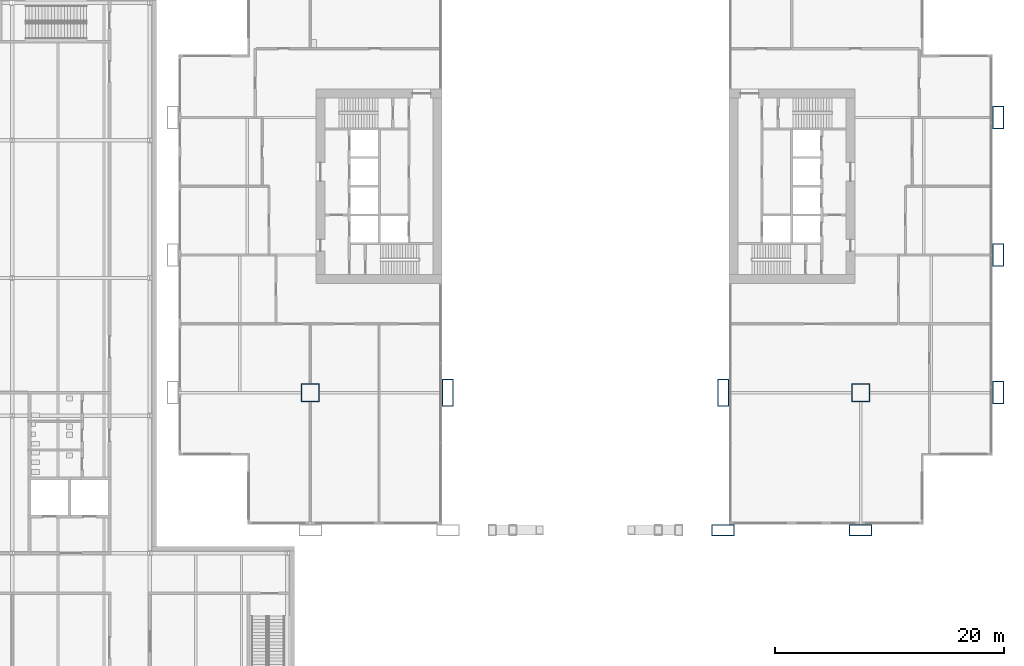
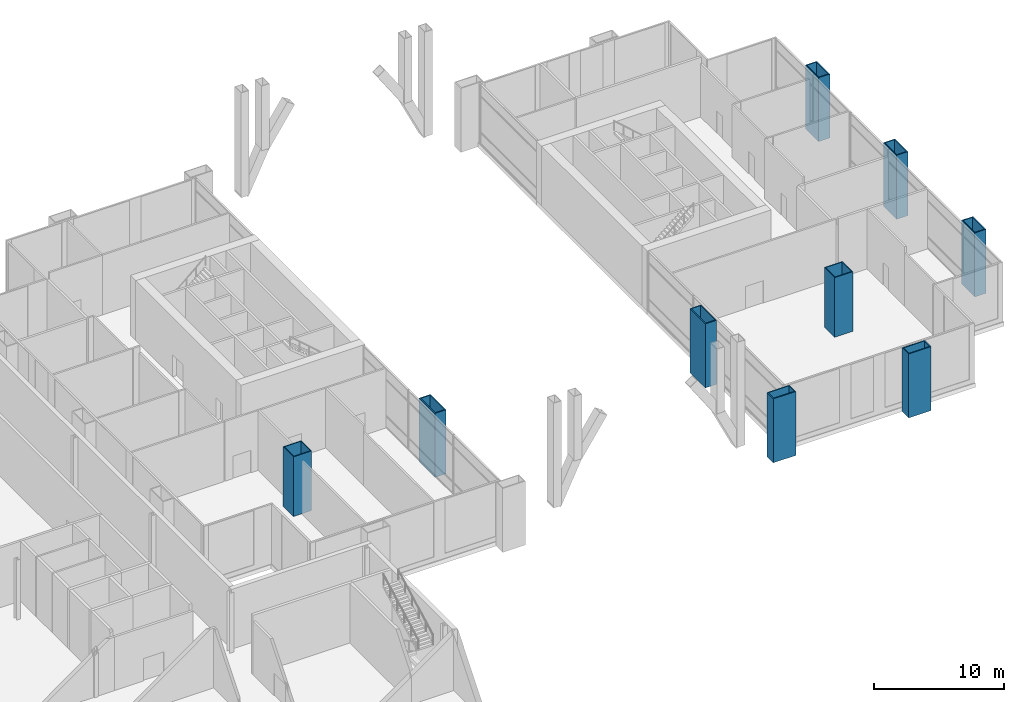
# One storey, part 4 of 25: 9 columns.
"""IFC4 building model written with IfcOpenShell, lengths in metres."""

import ifcopenshell
import ifcopenshell.guid

model = None  # the IFC model being written
_history = None  # IfcOwnerHistory: only IFC2X3 demands one
_inside = {}  # id of a spatial element -> (the spatial element, [elements in it])
_under = {}  # id of a project, library or spatial element -> (it, [spatial elements below it])
_declared = {}  # id of a project -> (the project, [libraries it declares])
_typed = {}  # id of a type object -> (the type object, [elements of that type])
_made_of = {}  # id of a material, layer set ... -> (it, [elements and type objects made of it])


def new_model(schema):
    """Start an empty IFC model of exactly this schema.

    Asked for "IFC4X3", IfcOpenShell would pick the latest addendum, in which some entities
    have other attributes; the version numbers below select the first issue.
    IFC2X3 requires an IfcOwnerHistory on every rooted entity: one is made here for all.
    """
    global model, _history
    if schema == "IFC4X3":
        model = ifcopenshell.file(schema_version=(4, 3, 0, 0))
    else:
        model = ifcopenshell.file(schema=schema)
    _inside.clear()
    _under.clear()
    _declared.clear()
    _typed.clear()
    _made_of.clear()
    _history = None
    if model.schema == "IFC2X3":
        org = make("IfcOrganization", Name="unknown")
        user = make(
            "IfcPersonAndOrganization",
            ThePerson=make("IfcPerson", FamilyName="unknown"),
            TheOrganization=org,
        )
        app = make(
            "IfcApplication",
            ApplicationDeveloper=org,
            Version="unknown",
            ApplicationFullName="unknown",
            ApplicationIdentifier="unknown",
        )
        _history = make(
            "IfcOwnerHistory",
            OwningUser=user,
            OwningApplication=app,
            ChangeAction="ADDED",
            CreationDate=0,
        )
    return model


def make(cls, **values):
    """One entity of the class cls with the attributes given. An attribute that is None is left unset."""
    return model.create_entity(
        cls, **{name: value for name, value in values.items() if value is not None}
    )


def rooted(cls, **values):
    """An entity with a GlobalId (a new one), such as an element, a storey or a relation."""
    return make(cls, GlobalId=ifcopenshell.guid.new(), OwnerHistory=_history, **values)


def si_unit(unit_type, name, prefix=None):
    """IfcSIUnit, for example si_unit("LENGTHUNIT", "METRE", prefix="MILLI")."""
    return make("IfcSIUnit", UnitType=unit_type, Prefix=prefix, Name=name)


def assignment(units):
    """IfcUnitAssignment: the units of a project."""
    return None if units is None else make("IfcUnitAssignment", Units=units)


def point(xyz):
    """IfcCartesianPoint."""
    return None if xyz is None else make("IfcCartesianPoint", Coordinates=xyz)


def direction(xyz):
    """IfcDirection."""
    return None if xyz is None else make("IfcDirection", DirectionRatios=xyz)


def frame(location, z_axis=None, x_axis=None):
    """IfcAxis2Placement3D, a coordinate frame: its origin and axes. An axis left out is left unset."""
    return make(
        "IfcAxis2Placement3D",
        Location=point(location),
        Axis=direction(z_axis),
        RefDirection=direction(x_axis),
    )


def frame_2d(location, x_axis=None):
    """IfcAxis2Placement2D, a coordinate frame in the plane: its origin and x axis."""
    return make(
        "IfcAxis2Placement2D", Location=point(location), RefDirection=direction(x_axis)
    )


def origin():
    """The frame at (0, 0, 0) with its axes left unset."""
    return frame((0.0, 0.0, 0.0))


def origin_2d():
    """The frame at (0, 0) in the plane with its x axis left unset."""
    return frame_2d((0.0, 0.0))


def place(relative_to, where):
    """IfcLocalPlacement: puts the frame where relative to a parent placement (None: the world)."""
    return make(
        "IfcLocalPlacement", PlacementRelTo=relative_to, RelativePlacement=where
    )


def context(
    kind, dimensions, precision=None, world=None, true_north=None, identifier=None
):
    """IfcGeometricRepresentationContext, for example the 3D "Model" context."""
    return make(
        "IfcGeometricRepresentationContext",
        ContextIdentifier=identifier,
        ContextType=kind,
        CoordinateSpaceDimension=dimensions,
        Precision=precision,
        WorldCoordinateSystem=world,
        TrueNorth=true_north,
    )


def subcontext(parent, identifier, kind, view, scale=None):
    """IfcGeometricRepresentationSubContext, for example "Body" below "Model"."""
    return make(
        "IfcGeometricRepresentationSubContext",
        ContextIdentifier=identifier,
        ContextType=kind,
        ParentContext=parent,
        TargetScale=scale,
        TargetView=view,
    )


def project(units=None, contexts=None):
    """IfcProject with its units and contexts."""
    return rooted(
        "IfcProject",
        Name="project",
        RepresentationContexts=contexts,
        UnitsInContext=assignment(units),
    )


def spatial(cls, under=None, at=None, **own):
    """A site, building, storey or space (cls), placed at a placement, below another one or the project."""
    s = rooted(cls, ObjectPlacement=at, **own)
    if under is not None:
        _under.setdefault(under.id(), (under, []))[1].append(s)
    return s


def profile(cls, at=None, kind="AREA", **sizes):
    """A parametric profile (cls). Its sizes go by their IFC names, for example OverallWidth=200.0."""
    return make(cls, ProfileType=kind, Position=at, **sizes)


def hollow_rectangle(**sizes):
    """IfcRectangleHollowProfileDef."""
    return profile("IfcRectangleHollowProfileDef", **sizes)


def extrude(swept, where, along, depth):
    """IfcExtrudedAreaSolid: the profile swept, set in the frame where, extruded along a direction by depth."""
    return make(
        "IfcExtrudedAreaSolid",
        SweptArea=swept,
        Position=where,
        ExtrudedDirection=direction(along),
        Depth=depth,
    )


def shape(context_of_items, identifier, shape_type, items):
    """IfcShapeRepresentation: the items that make up one representation, for example the "Body"."""
    return make(
        "IfcShapeRepresentation",
        ContextOfItems=context_of_items,
        RepresentationIdentifier=identifier,
        RepresentationType=shape_type,
        Items=items,
    )


def material(Name=None, Category=None):
    """IfcMaterial."""
    return make("IfcMaterial", Name=Name, Category=Category)


def material_profile(
    of_material, cross_section, Name=None, Category=None, Priority=None
):
    """IfcMaterialProfile: a cross section and its material."""
    return make(
        "IfcMaterialProfile",
        Name=Name,
        Material=of_material,
        Profile=cross_section,
        Priority=Priority,
        Category=Category,
    )


def profile_set(profiles, Name=None, composite=None):
    """IfcMaterialProfileSet."""
    return make(
        "IfcMaterialProfileSet",
        Name=Name,
        MaterialProfiles=profiles,
        CompositeProfile=composite,
    )


def made_of(thing, what):
    """Note that an element or type object is made of a material, layer set ...; save() writes the relation."""
    if what is not None:
        _made_of.setdefault(what.id(), (what, []))[1].append(thing)
    return thing


def type_object(cls, material=None, **own):
    """A type object (cls), such as IfcWallType, which elements share."""
    return made_of(rooted(cls, **own), material)


def element(
    cls,
    number,
    at=None,
    inside=None,
    cuts=None,
    type_object=None,
    material=None,
    context=None,
    identifier="Body",
    shape_type=None,
    held_by="IfcProductDefinitionShape",
    body=None,
    shapes=None,
    **own,
):
    """One element of the class cls, such as IfcWall. Its Tag is "e" and its number.

    at: its placement. inside: the storey or other place that contains it. cuts: it is an
    opening in that element (IfcRelVoidsElement). A single representation is given by context,
    identifier, shape_type and body (its items); several are given by shapes. held_by: the class
    of the entity that holds the representations. save() writes the other relations.
    """
    e = rooted(cls, Tag="e%d" % number, ObjectPlacement=at, **own)
    if body is not None:
        shapes = [shape(context, identifier, shape_type, body)]
    if shapes is not None:
        e.Representation = make(held_by, Representations=shapes)
    if inside is not None:
        _inside.setdefault(inside.id(), (inside, []))[1].append(e)
    if cuts is not None:
        rooted(
            "IfcRelVoidsElement", RelatingBuildingElement=cuts, RelatedOpeningElement=e
        )
    if type_object is not None:
        _typed.setdefault(type_object.id(), (type_object, []))[1].append(e)
    return made_of(e, material)


def aggregate(whole, parts):
    """IfcRelAggregates: a whole, such as a stair, and the parts it consists of."""
    return rooted("IfcRelAggregates", RelatingObject=whole, RelatedObjects=parts)


def save(model, path):
    """Write the relations noted so far, then the file.

    IfcRelAggregates (storeys below a building ...), IfcRelContainedInSpatialStructure (elements
    in a storey), IfcRelDefinesByType, IfcRelAssociatesMaterial and IfcRelDeclares: one each for
    every whole, place, type object, material and project.
    """
    for whole, parts in _under.values():
        aggregate(whole, parts)
    for where, things in _inside.values():
        rooted(
            "IfcRelContainedInSpatialStructure",
            RelatedElements=things,
            RelatingStructure=where,
        )
    for kind, things in _typed.values():
        rooted("IfcRelDefinesByType", RelatedObjects=things, RelatingType=kind)
    for what, things in _made_of.values():
        rooted("IfcRelAssociatesMaterial", RelatedObjects=things, RelatingMaterial=what)
    for by, libraries in _declared.values():
        rooted("IfcRelDeclares", RelatingContext=by, RelatedDefinitions=libraries)
    model.write(path)


model = new_model("IFC4")

# Units and contexts
model_context = context("Model", 3, precision=1e-05, world=origin(), true_north=direction((0.0, 1.0)))
body_context = subcontext(model_context, "Body", "Model", "MODEL_VIEW")
ifc_project = project(units=[si_unit("LENGTHUNIT", "METRE"), si_unit("AREAUNIT", "SQUARE_METRE"), si_unit("VOLUMEUNIT", "CUBIC_METRE"), si_unit("PLANEANGLEUNIT", "RADIAN"), si_unit("MASSUNIT", "GRAM", prefix="KILO")], contexts=[model_context])

# Site, building, storey
site_placement = place(None, origin())
site = spatial("IfcSite", under=ifc_project, at=site_placement, CompositionType="ELEMENT")
building_placement = place(site_placement, origin())
building = spatial("IfcBuilding", under=site, at=building_placement, Name="Kitamizu Gate Tower and Museum", CompositionType="ELEMENT")
storey_placement = place(building_placement, frame((0.0, 0.0, 12.0)))
storey = spatial("IfcBuildingStorey", under=building, at=storey_placement, Name="L02", CompositionType="ELEMENT", Elevation=12.0)

# Columns
ifc_material_1 = material(Name="Steel SM490A bronze coated", Category="steel")
ifc_material_profile_1 = material_profile(ifc_material_1, hollow_rectangle(XDim=2.39990234375, YDim=1.0, WallThickness=0.090087890625, at=origin_2d()), Name="BOX 2400x1000x90")
ifc_profile_set_1 = profile_set([ifc_material_profile_1], Name="Steel SM490A bronze coated")
column_type_1 = type_object("IfcColumnType", Name="Arch jamb column JC1 BOX 2400x1000x90", PredefinedType="COLUMN", material=ifc_profile_set_1)
for number, where, z_axis, x_axis, name in (
    (1, (24.0, 12.0, -0.39990234375), (0.0, 0.0, 1.0), (0.0, 1.0, 0.0), "Column JC1 3B L02"),
    (2, (48.0, 12.0, -0.39990234375), (0.0, 0.0, 1.0), (0.0, 1.0, 0.0), "Column JC1 5B L02"),
):
    element("IfcColumn", number, at=place(storey_placement, frame(where, z_axis=z_axis, x_axis=x_axis)), inside=storey, type_object=column_type_1, Name=name, PredefinedType="COLUMN", context=body_context, shape_type="SweptSolid", body=[
        extrude(hollow_rectangle(XDim=2.39990234375, YDim=1.0, WallThickness=0.090087890625, at=origin_2d()), origin(), (0.0, 0.0, 1.0), 6.0),
    ])
ifc_material_2 = material(Name="Steel SM490A", Category="steel")
ifc_material_profile_2 = material_profile(ifc_material_2, hollow_rectangle(XDim=1.60009765625, YDim=1.60009765625, WallThickness=0.070068359375, at=origin_2d()), Name="BOX 1600x1600x70")
ifc_profile_set_2 = profile_set([ifc_material_profile_2], Name="Steel SM490A")
column_type_2 = type_object("IfcColumnType", Name="Interior column IC1 BOX 1600x1600x70", PredefinedType="COLUMN", material=ifc_profile_set_2)
for number, where, z_axis, x_axis, name in (
    (3, (12.0, 12.0, 0.0), (0.0, 0.0, 1.0), (1.0, 0.0, 0.0), "Column IC1 2B L02"),
    (4, (60.0, 12.0, 0.0), (0.0, 0.0, 1.0), (1.0, 0.0, 0.0), "Column IC1 6B L02"),
):
    element("IfcColumn", number, at=place(storey_placement, frame(where, z_axis=z_axis, x_axis=x_axis)), inside=storey, type_object=column_type_2, Name=name, PredefinedType="COLUMN", context=body_context, shape_type="SweptSolid", body=[
        extrude(hollow_rectangle(XDim=1.60009765625, YDim=1.60009765625, WallThickness=0.070068359375, at=origin_2d()), origin(), (0.0, 0.0, 1.0), 5.60009765625),
    ])
ifc_material_3 = material(Name="Steel SM490A bronze coated", Category="steel")
ifc_material_profile_3 = material_profile(ifc_material_3, hollow_rectangle(XDim=2.0, YDim=1.0, WallThickness=0.080078125, at=origin_2d()), Name="BOX 2000x1000x80")
ifc_profile_set_3 = profile_set([ifc_material_profile_3], Name="Steel SM490A bronze coated")
column_type_3 = type_object("IfcColumnType", Name="Podium leg column LC1 BOX 2000x1000x80", PredefinedType="COLUMN", material=ifc_profile_set_3)
for number, where, z_axis, x_axis, name in (
    (5, (48.0, 0.0, -0.39990234375), (0.0, 0.0, 1.0), (1.0, 0.0, 0.0), "Column LC1 5A L02"),
    (6, (60.0, 0.0, -0.39990234375), (0.0, 0.0, 1.0), (1.0, 0.0, 0.0), "Column LC1 6A L02"),
    (7, (72.0, 12.0, -0.39990234375), (0.0, 0.0, 1.0), (0.0, 1.0, 0.0), "Column LC1 7B L02"),
    (8, (72.0, 24.0, -0.39990234375), (0.0, 0.0, 1.0), (0.0, 1.0, 0.0), "Column LC1 7C L02"),
    (9, (72.0, 36.0, -0.39990234375), (0.0, 0.0, 1.0), (0.0, 1.0, 0.0), "Column LC1 7D L02"),
):
    element("IfcColumn", number, at=place(storey_placement, frame(where, z_axis=z_axis, x_axis=x_axis)), inside=storey, type_object=column_type_3, Name=name, PredefinedType="COLUMN", context=body_context, shape_type="SweptSolid", body=[
        extrude(hollow_rectangle(XDim=2.0, YDim=1.0, WallThickness=0.080078125, at=origin_2d()), origin(), (0.0, 0.0, 1.0), 6.0),
    ])

save(model, "model.ifc")
